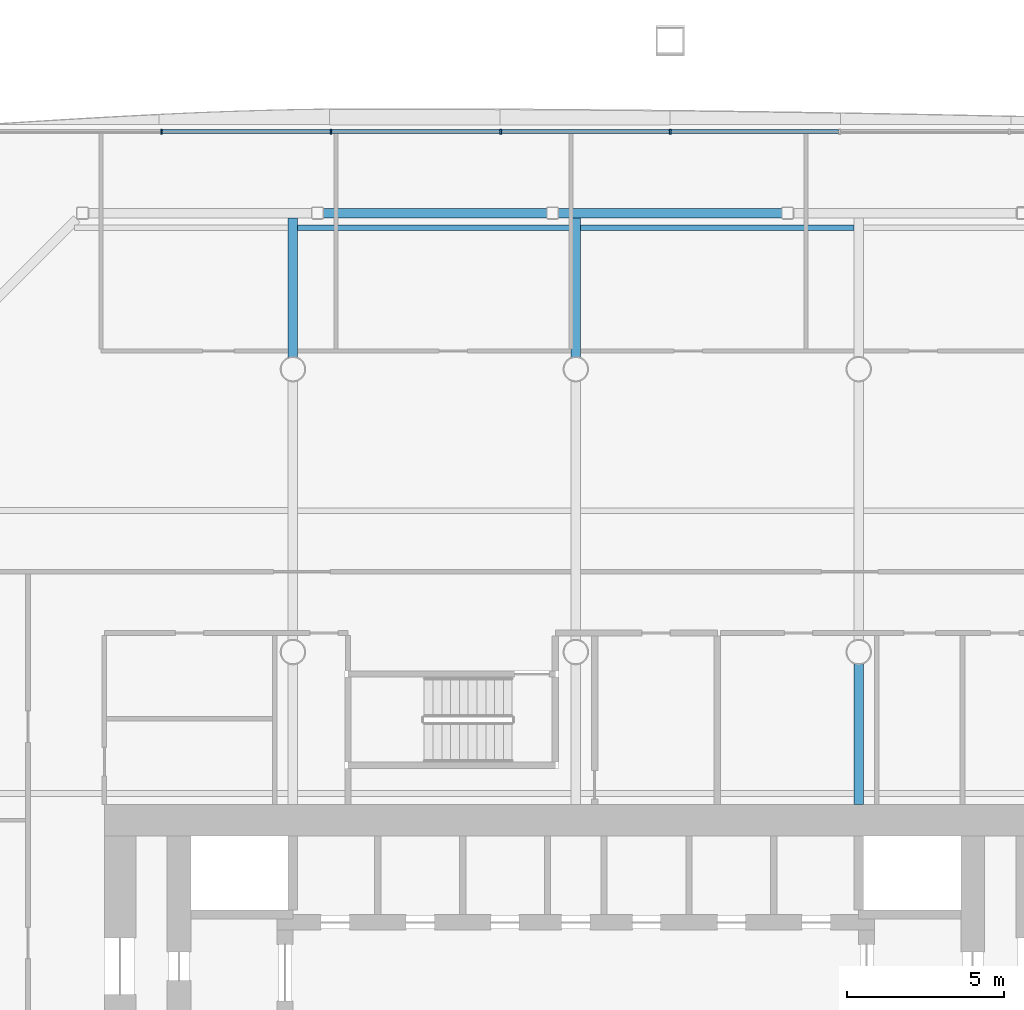
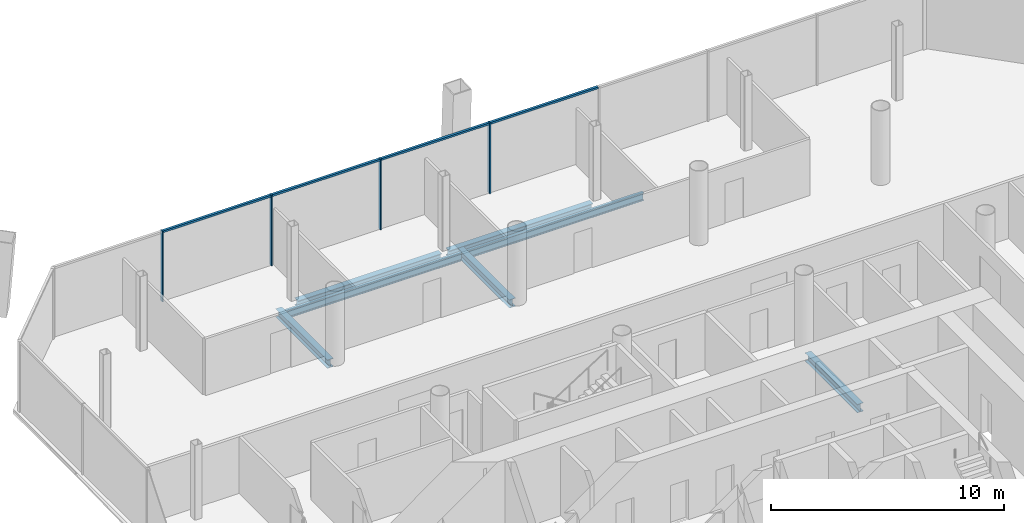
# One storey, part 9 of 20: 8 members, 7 beams, 1 element without a shape of its own.
"""IFC4 building model written with IfcOpenShell, lengths in metres."""

from ifc_helpers import new_model, si_unit, direction, frame, origin, origin_2d, place, context, subcontext, project, spatial, rectangle, i_section, extrude, material, material_profile, profile_set, type_object, element, aggregate, save


model = new_model("IFC4")

# Units and contexts
model_context = context("Model", 3, precision=1e-05, world=origin(), true_north=direction((0.0, 1.0)))
body_context = subcontext(model_context, "Body", "Model", "MODEL_VIEW")
ifc_project = project(units=[si_unit("LENGTHUNIT", "METRE"), si_unit("AREAUNIT", "SQUARE_METRE"), si_unit("VOLUMEUNIT", "CUBIC_METRE"), si_unit("PLANEANGLEUNIT", "RADIAN"), si_unit("MASSUNIT", "GRAM", prefix="KILO")], contexts=[model_context])

# Site, building, storey
site_placement = place(None, origin())
site = spatial("IfcSite", under=ifc_project, at=site_placement, CompositionType="ELEMENT")
building_placement = place(site_placement, origin())
building = spatial("IfcBuilding", under=site, at=building_placement, Name="Tskaro Facet Tower", CompositionType="ELEMENT")
storey_placement = place(building_placement, frame((0.0, 0.0, 66.0)))
storey = spatial("IfcBuildingStorey", under=building, at=storey_placement, Name="L15", CompositionType="ELEMENT", Elevation=66.0)

# Curtain wall, members
ifc_material_1 = material(Name="Bronze anodised aluminium 6063-T6", Category="aluminium")
curtain_wall_type = type_object("IfcCurtainWallType", Name="Bronze office curtain wall (FW1)", PredefinedType="NOTDEFINED", material=ifc_material_1)
curtain_wall_placement = place(storey_placement, origin())
curtain_wall = element("IfcCurtainWall", 1, at=curtain_wall_placement, inside=storey, type_object=curtain_wall_type, Name="FW1 north facet L15", PredefinedType="NOTDEFINED")
ifc_material_profile_1 = material_profile(ifc_material_1, rectangle(XDim=0.06005859375, YDim=0.159912109375, at=origin_2d()), Name="Mullion 60x160")
ifc_profile_set_1 = profile_set([ifc_material_profile_1], Name="Bronze anodised aluminium 6063-T6")
member_type_1 = type_object("IfcMemberType", Name="FW1 bronze mullion 60x160", PredefinedType="MULLION", material=ifc_profile_set_1)
member_1_placement = place(storey_placement, frame((3.0, 25.55908203125, 0.0), z_axis=(0.0, 0.0, 1.0), x_axis=(-1.0, 0.0, 0.0)))
member_1 = element("IfcMember", 2, at=member_1_placement, type_object=member_type_1, Name="FW1 north mullion 4", PredefinedType="MULLION", context=body_context, shape_type="SweptSolid", body=[
    extrude(rectangle(XDim=0.06005859375, YDim=0.159912109375, at=origin_2d()), origin(), (0.0, 0.0, 1.0), 3.699951171875),
])
member_2_placement = place(storey_placement, frame((-2.3935546875, 25.55908203125, 0.0), z_axis=(0.0, 0.0, 1.0), x_axis=(-1.0, 0.0, 0.0)))
member_2 = element("IfcMember", 3, at=member_2_placement, type_object=member_type_1, Name="FW1 north mullion 5", PredefinedType="MULLION", context=body_context, shape_type="SweptSolid", body=[
    extrude(rectangle(XDim=0.06005859375, YDim=0.159912109375, at=origin_2d()), origin(), (0.0, 0.0, 1.0), 3.699951171875),
])
member_3_placement = place(storey_placement, frame((-7.787109375, 25.55908203125, 0.0), z_axis=(0.0, 0.0, 1.0), x_axis=(-1.0, 0.0, 0.0)))
member_3 = element("IfcMember", 4, at=member_3_placement, type_object=member_type_1, Name="FW1 north mullion 6", PredefinedType="MULLION", context=body_context, shape_type="SweptSolid", body=[
    extrude(rectangle(XDim=0.06005859375, YDim=0.159912109375, at=origin_2d()), origin(), (0.0, 0.0, 1.0), 3.699951171875),
])
member_4_placement = place(storey_placement, frame((-13.180419921875, 25.55908203125, 0.0), z_axis=(0.0, 0.0, 1.0), x_axis=(-1.0, 0.0, 0.0)))
member_4 = element("IfcMember", 5, at=member_4_placement, type_object=member_type_1, Name="FW1 north mullion 7", PredefinedType="MULLION", context=body_context, shape_type="SweptSolid", body=[
    extrude(rectangle(XDim=0.06005859375, YDim=0.159912109375, at=origin_2d()), origin(), (0.0, 0.0, 1.0), 3.699951171875),
])
ifc_material_profile_2 = material_profile(ifc_material_1, rectangle(XDim=0.1201171875, YDim=0.10009765625, at=origin_2d()), Name="Transom 120x100")
ifc_profile_set_2 = profile_set([ifc_material_profile_2], Name="Bronze anodised aluminium 6063-T6")
member_type_2 = type_object("IfcMemberType", Name="FW1 bronze transom 120x100", PredefinedType="USERDEFINED", material=ifc_profile_set_2)
member_5_placement = place(storey_placement, frame((8.363525390625, 25.55908203125, 3.64990234375), z_axis=(-1.0, 0.0, 0.0), x_axis=(0.0, -1.0, 0.0)))
member_5 = element("IfcMember", 6, at=member_5_placement, type_object=member_type_2, Name="FW1 north transom 4.1", ObjectType="TRANSOM", PredefinedType="USERDEFINED", context=body_context, shape_type="SweptSolid", body=[
    extrude(rectangle(XDim=0.1201171875, YDim=0.10009765625, at=origin_2d()), origin(), (0.0, 0.0, 1.0), 5.33349609375),
])
member_6_placement = place(storey_placement, frame((2.969970703125, 25.55908203125, 3.64990234375), z_axis=(-1.0, 0.0, 0.0), x_axis=(0.0, -1.0, 0.0)))
member_6 = element("IfcMember", 7, at=member_6_placement, type_object=member_type_2, Name="FW1 north transom 5.1", ObjectType="TRANSOM", PredefinedType="USERDEFINED", context=body_context, shape_type="SweptSolid", body=[
    extrude(rectangle(XDim=0.1201171875, YDim=0.10009765625, at=origin_2d()), origin(), (0.0, 0.0, 1.0), 5.33349609375),
])
member_7_placement = place(storey_placement, frame((-2.423583984375, 25.55908203125, 3.64990234375), z_axis=(-1.0, 0.0, 0.0), x_axis=(0.0, -1.0, 0.0)))
member_7 = element("IfcMember", 8, at=member_7_placement, type_object=member_type_2, Name="FW1 north transom 6.1", ObjectType="TRANSOM", PredefinedType="USERDEFINED", context=body_context, shape_type="SweptSolid", body=[
    extrude(rectangle(XDim=0.1201171875, YDim=0.10009765625, at=origin_2d()), origin(), (0.0, 0.0, 1.0), 5.33349609375),
])
member_8_placement = place(storey_placement, frame((-7.81689453125, 25.55908203125, 3.64990234375), z_axis=(-1.0, 0.0, 0.0), x_axis=(0.0, -1.0, 0.0)))
member_8 = element("IfcMember", 9, at=member_8_placement, type_object=member_type_2, Name="FW1 north transom 7.1", ObjectType="TRANSOM", PredefinedType="USERDEFINED", context=body_context, shape_type="SweptSolid", body=[
    extrude(rectangle(XDim=0.1201171875, YDim=0.10009765625, at=origin_2d()), origin(), (0.0, 0.0, 1.0), 5.33349609375),
])
aggregate(curtain_wall, [member_1, member_2, member_3, member_4, member_5, member_6, member_7, member_8])

# Beams
ifc_material_2 = material(Name="Steel S355J2", Category="steel")
ifc_material_profile_3 = material_profile(ifc_material_2, i_section(OverallWidth=0.300048828125, OverallDepth=0.360107421875, WebThickness=0.012451171875, FlangeThickness=0.0224609375, FilletRadius=0.027099609375, at=origin_2d()), Name="HE 360 B")
ifc_profile_set_3 = profile_set([ifc_material_profile_3], Name="Steel S355J2")
beam_type_1 = type_object("IfcBeamType", Name="HE 360 B ring beam", PredefinedType="BEAM", material=ifc_profile_set_3)
beam_1_placement = place(storey_placement, frame((6.55810546875, 22.965087890625, -0.320068359375), z_axis=(-1.0, 0.0, 0.0), x_axis=(0.0, -1.0, 0.0)))
element("IfcBeam", 10, at=beam_1_placement, inside=storey, type_object=beam_type_1, Name="HE 360 B EB15-2", PredefinedType="BEAM", context=body_context, shape_type="SweptSolid", body=[
    extrude(i_section(OverallWidth=0.300048828125, OverallDepth=0.360107421875, WebThickness=0.012451171875, FlangeThickness=0.0224609375, FilletRadius=0.027099609375, at=origin_2d()), origin(), (0.0, 0.0, 1.0), 7.1162109375),
])
beam_2_placement = place(storey_placement, frame((-0.91796875, 22.965087890625, -0.320068359375), z_axis=(-1.0, 0.0, 0.0), x_axis=(0.0, -1.0, 0.0)))
element("IfcBeam", 11, at=beam_2_placement, inside=storey, type_object=beam_type_1, Name="HE 360 B EB16-2", PredefinedType="BEAM", context=body_context, shape_type="SweptSolid", body=[
    extrude(i_section(OverallWidth=0.300048828125, OverallDepth=0.360107421875, WebThickness=0.012451171875, FlangeThickness=0.0224609375, FilletRadius=0.027099609375, at=origin_2d()), origin(), (0.0, 0.0, 1.0), 7.115966796875),
])
ifc_material_profile_4 = material_profile(ifc_material_2, i_section(OverallWidth=0.300048828125, OverallDepth=0.43994140625, WebThickness=0.011474609375, FlangeThickness=0.02099609375, FilletRadius=0.027099609375, at=origin_2d()), Name="HE 450 A")
ifc_profile_set_4 = profile_set([ifc_material_profile_4], Name="Steel S355J2")
beam_type_2 = type_object("IfcBeamType", Name="HE 450 A girder", PredefinedType="BEAM", material=ifc_profile_set_4)
for number, where, z_axis, x_axis, name in (
    (12, (-9.0, 18.37646484375, -0.360107421875), (0.0, 1.0, 0.0), (-1.0, 0.0, 0.0), "HE 450 A GB3-5-2"),
    (13, (0.0, 18.37646484375, -0.360107421875), (0.0, 1.0, 0.0), (-1.0, 0.0, 0.0), "HE 450 A GB4-5-2"),
):
    element("IfcBeam", number, at=place(storey_placement, frame(where, z_axis=z_axis, x_axis=x_axis)), inside=storey, type_object=beam_type_2, Name=name, PredefinedType="BEAM", context=body_context, shape_type="SweptSolid", body=[
        extrude(i_section(OverallWidth=0.300048828125, OverallDepth=0.43994140625, WebThickness=0.011474609375, FlangeThickness=0.02099609375, FilletRadius=0.027099609375, at=origin_2d()), origin(), (0.0, 0.0, 1.0), 4.4384765625),
    ])
beam_3_placement = place(storey_placement, frame((9.0, 4.14990234375, -0.360107421875), z_axis=(0.0, 1.0, 0.0), x_axis=(-1.0, 0.0, 0.0)))
element("IfcBeam", 14, at=beam_3_placement, inside=storey, type_object=beam_type_2, Name="HE 450 A GB5-3-2", PredefinedType="BEAM", context=body_context, shape_type="SweptSolid", body=[
    extrude(i_section(OverallWidth=0.300048828125, OverallDepth=0.43994140625, WebThickness=0.011474609375, FlangeThickness=0.02099609375, FilletRadius=0.027099609375, at=origin_2d()), origin(), (0.0, 0.0, 1.0), 4.4736328125),
])
ifc_material_profile_5 = material_profile(ifc_material_2, i_section(OverallWidth=0.179931640625, OverallDepth=0.39990234375, WebThickness=0.008544921875, FlangeThickness=0.013427734375, FilletRadius=0.02099609375, at=origin_2d()), Name="IPE 400")
ifc_profile_set_5 = profile_set([ifc_material_profile_5], Name="Steel S355J2")
beam_type_3 = type_object("IfcBeamType", Name="IPE 400 secondary beam", PredefinedType="BEAM", material=ifc_profile_set_5)
for number, where, z_axis, x_axis, name in (
    (15, (-8.85009765625, 22.5, -0.340087890625), (1.0, 0.0, 0.0), (0.0, 1.0, 0.0), "IPE 400 SB6a-2-2"),
    (16, (0.14990234375, 22.5, -0.340087890625), (1.0, 0.0, 0.0), (0.0, 1.0, 0.0), "IPE 400 SB6a-3-2"),
):
    element("IfcBeam", number, at=place(storey_placement, frame(where, z_axis=z_axis, x_axis=x_axis)), inside=storey, type_object=beam_type_3, Name=name, PredefinedType="BEAM", context=body_context, shape_type="SweptSolid", body=[
        extrude(i_section(OverallWidth=0.179931640625, OverallDepth=0.39990234375, WebThickness=0.008544921875, FlangeThickness=0.013427734375, FilletRadius=0.02099609375, at=origin_2d()), origin(), (0.0, 0.0, 1.0), 8.7001953125),
    ])

save(model, "model.ifc")
